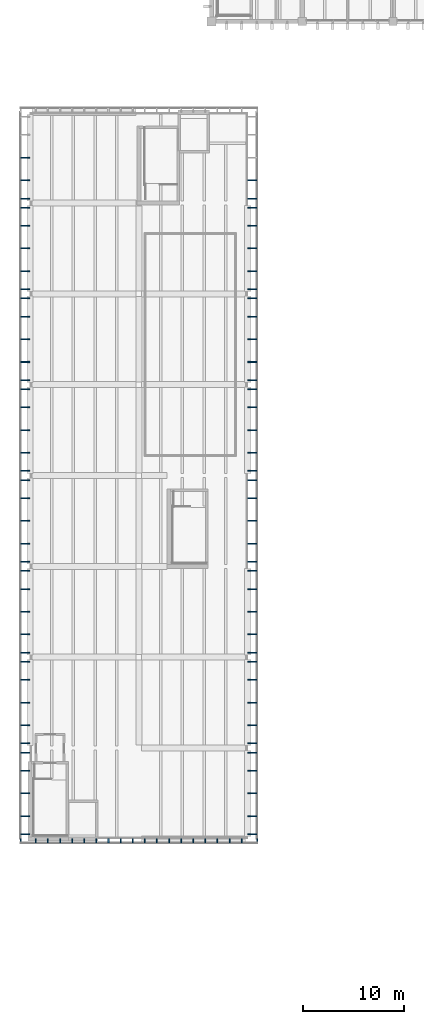
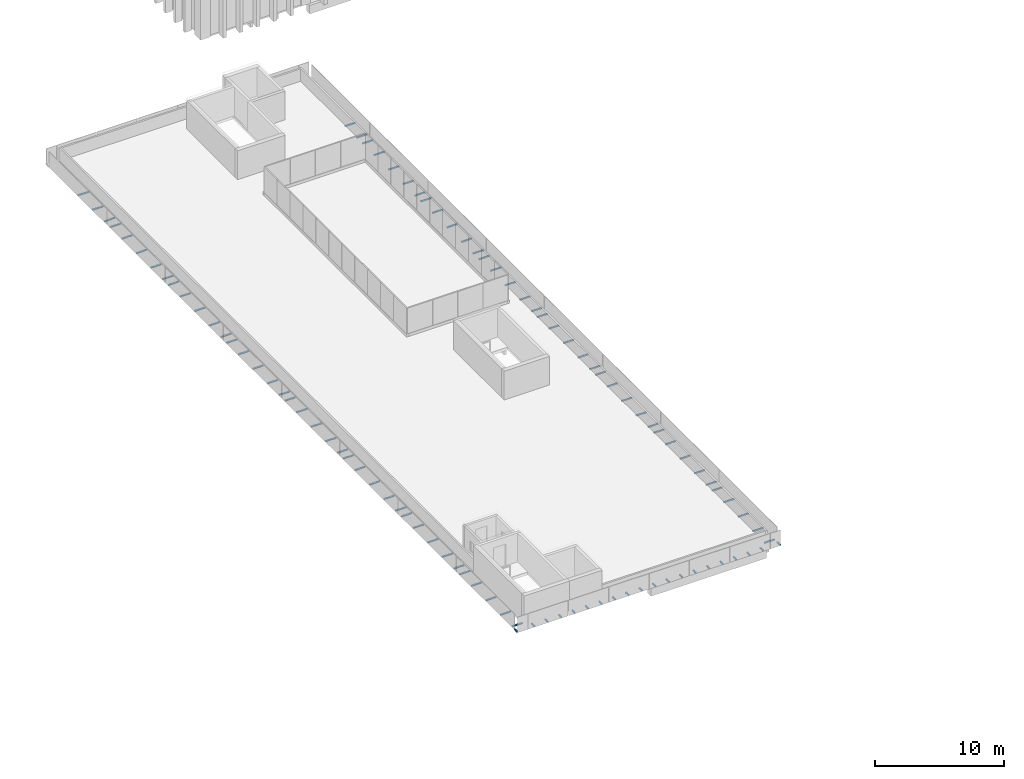
# One storey, part 21 of 29: 95 discrete accessories.
"""IFC4 building model written with IfcOpenShell, lengths in metres."""

import ifcopenshell
import ifcopenshell.guid

model = None  # the IFC model being written
_history = None  # IfcOwnerHistory: only IFC2X3 demands one
_inside = {}  # id of a spatial element -> (the spatial element, [elements in it])
_under = {}  # id of a project, library or spatial element -> (it, [spatial elements below it])
_declared = {}  # id of a project -> (the project, [libraries it declares])
_typed = {}  # id of a type object -> (the type object, [elements of that type])
_made_of = {}  # id of a material, layer set ... -> (it, [elements and type objects made of it])


def new_model(schema):
    """Start an empty IFC model of exactly this schema.

    Asked for "IFC4X3", IfcOpenShell would pick the latest addendum, in which some entities
    have other attributes; the version numbers below select the first issue.
    IFC2X3 requires an IfcOwnerHistory on every rooted entity: one is made here for all.
    """
    global model, _history
    if schema == "IFC4X3":
        model = ifcopenshell.file(schema_version=(4, 3, 0, 0))
    else:
        model = ifcopenshell.file(schema=schema)
    _inside.clear()
    _under.clear()
    _declared.clear()
    _typed.clear()
    _made_of.clear()
    _history = None
    if model.schema == "IFC2X3":
        org = make("IfcOrganization", Name="unknown")
        user = make(
            "IfcPersonAndOrganization",
            ThePerson=make("IfcPerson", FamilyName="unknown"),
            TheOrganization=org,
        )
        app = make(
            "IfcApplication",
            ApplicationDeveloper=org,
            Version="unknown",
            ApplicationFullName="unknown",
            ApplicationIdentifier="unknown",
        )
        _history = make(
            "IfcOwnerHistory",
            OwningUser=user,
            OwningApplication=app,
            ChangeAction="ADDED",
            CreationDate=0,
        )
    return model


def make(cls, **values):
    """One entity of the class cls with the attributes given. An attribute that is None is left unset."""
    return model.create_entity(
        cls, **{name: value for name, value in values.items() if value is not None}
    )


def rooted(cls, **values):
    """An entity with a GlobalId (a new one), such as an element, a storey or a relation."""
    return make(cls, GlobalId=ifcopenshell.guid.new(), OwnerHistory=_history, **values)


def si_unit(unit_type, name, prefix=None):
    """IfcSIUnit, for example si_unit("LENGTHUNIT", "METRE", prefix="MILLI")."""
    return make("IfcSIUnit", UnitType=unit_type, Prefix=prefix, Name=name)


def assignment(units):
    """IfcUnitAssignment: the units of a project."""
    return None if units is None else make("IfcUnitAssignment", Units=units)


def point(xyz):
    """IfcCartesianPoint."""
    return None if xyz is None else make("IfcCartesianPoint", Coordinates=xyz)


def direction(xyz):
    """IfcDirection."""
    return None if xyz is None else make("IfcDirection", DirectionRatios=xyz)


def frame(location, z_axis=None, x_axis=None):
    """IfcAxis2Placement3D, a coordinate frame: its origin and axes. An axis left out is left unset."""
    return make(
        "IfcAxis2Placement3D",
        Location=point(location),
        Axis=direction(z_axis),
        RefDirection=direction(x_axis),
    )


def origin():
    """The frame at (0, 0, 0) with its axes left unset."""
    return frame((0.0, 0.0, 0.0))


def place(relative_to, where):
    """IfcLocalPlacement: puts the frame where relative to a parent placement (None: the world)."""
    return make(
        "IfcLocalPlacement", PlacementRelTo=relative_to, RelativePlacement=where
    )


def context(
    kind, dimensions, precision=None, world=None, true_north=None, identifier=None
):
    """IfcGeometricRepresentationContext, for example the 3D "Model" context."""
    return make(
        "IfcGeometricRepresentationContext",
        ContextIdentifier=identifier,
        ContextType=kind,
        CoordinateSpaceDimension=dimensions,
        Precision=precision,
        WorldCoordinateSystem=world,
        TrueNorth=true_north,
    )


def subcontext(parent, identifier, kind, view, scale=None):
    """IfcGeometricRepresentationSubContext, for example "Body" below "Model"."""
    return make(
        "IfcGeometricRepresentationSubContext",
        ContextIdentifier=identifier,
        ContextType=kind,
        ParentContext=parent,
        TargetScale=scale,
        TargetView=view,
    )


def project(units=None, contexts=None):
    """IfcProject with its units and contexts."""
    return rooted(
        "IfcProject",
        Name="project",
        RepresentationContexts=contexts,
        UnitsInContext=assignment(units),
    )


def spatial(cls, under=None, at=None, **own):
    """A site, building, storey or space (cls), placed at a placement, below another one or the project."""
    s = rooted(cls, ObjectPlacement=at, **own)
    if under is not None:
        _under.setdefault(under.id(), (under, []))[1].append(s)
    return s


def polyline(points):
    """IfcPolyline through the points."""
    return make("IfcPolyline", Points=[point(p) for p in points])


def outline(outer, holes=None, kind="AREA"):
    """IfcArbitraryClosedProfileDef: a profile drawn as a closed curve; with holes, ...WithVoids."""
    if holes is None:
        return make("IfcArbitraryClosedProfileDef", ProfileType=kind, OuterCurve=outer)
    return make(
        "IfcArbitraryProfileDefWithVoids",
        ProfileType=kind,
        OuterCurve=outer,
        InnerCurves=holes,
    )


def extrude(swept, where, along, depth):
    """IfcExtrudedAreaSolid: the profile swept, set in the frame where, extruded along a direction by depth."""
    return make(
        "IfcExtrudedAreaSolid",
        SweptArea=swept,
        Position=where,
        ExtrudedDirection=direction(along),
        Depth=depth,
    )


def shape(context_of_items, identifier, shape_type, items):
    """IfcShapeRepresentation: the items that make up one representation, for example the "Body"."""
    return make(
        "IfcShapeRepresentation",
        ContextOfItems=context_of_items,
        RepresentationIdentifier=identifier,
        RepresentationType=shape_type,
        Items=items,
    )


def source(mapping_origin, context_of_items, identifier, shape_type, items):
    """IfcRepresentationMap: a shape defined once, which mapped items show again and again."""
    return make(
        "IfcRepresentationMap",
        MappingOrigin=mapping_origin,
        MappedRepresentation=shape(context_of_items, identifier, shape_type, items),
    )


def transform(
    local_origin,
    x_axis=None,
    y_axis=None,
    z_axis=None,
    scale=None,
    scale2=None,
    scale3=None,
    uniform=True,
):
    """IfcCartesianTransformationOperator3D, or its non-uniform kind. x_axis, y_axis, z_axis: its Axis1, 2, 3."""
    if uniform:
        return make(
            "IfcCartesianTransformationOperator3D",
            Axis1=direction(x_axis),
            Axis2=direction(y_axis),
            LocalOrigin=point(local_origin),
            Scale=scale,
            Axis3=direction(z_axis),
        )
    return make(
        "IfcCartesianTransformationOperator3DnonUniform",
        Axis1=direction(x_axis),
        Axis2=direction(y_axis),
        LocalOrigin=point(local_origin),
        Scale=scale,
        Axis3=direction(z_axis),
        Scale2=scale2,
        Scale3=scale3,
    )


def mapped(mapping_source, mapping_target):
    """IfcMappedItem: shows the shape of a source again, moved by a transform."""
    return make(
        "IfcMappedItem", MappingSource=mapping_source, MappingTarget=mapping_target
    )


def material(Name=None, Category=None):
    """IfcMaterial."""
    return make("IfcMaterial", Name=Name, Category=Category)


def made_of(thing, what):
    """Note that an element or type object is made of a material, layer set ...; save() writes the relation."""
    if what is not None:
        _made_of.setdefault(what.id(), (what, []))[1].append(thing)
    return thing


def type_object(cls, material=None, **own):
    """A type object (cls), such as IfcWallType, which elements share."""
    return made_of(rooted(cls, **own), material)


def element(
    cls,
    number,
    at=None,
    inside=None,
    cuts=None,
    type_object=None,
    material=None,
    context=None,
    identifier="Body",
    shape_type=None,
    held_by="IfcProductDefinitionShape",
    body=None,
    shapes=None,
    **own,
):
    """One element of the class cls, such as IfcWall. Its Tag is "e" and its number.

    at: its placement. inside: the storey or other place that contains it. cuts: it is an
    opening in that element (IfcRelVoidsElement). A single representation is given by context,
    identifier, shape_type and body (its items); several are given by shapes. held_by: the class
    of the entity that holds the representations. save() writes the other relations.
    """
    e = rooted(cls, Tag="e%d" % number, ObjectPlacement=at, **own)
    if body is not None:
        shapes = [shape(context, identifier, shape_type, body)]
    if shapes is not None:
        e.Representation = make(held_by, Representations=shapes)
    if inside is not None:
        _inside.setdefault(inside.id(), (inside, []))[1].append(e)
    if cuts is not None:
        rooted(
            "IfcRelVoidsElement", RelatingBuildingElement=cuts, RelatedOpeningElement=e
        )
    if type_object is not None:
        _typed.setdefault(type_object.id(), (type_object, []))[1].append(e)
    return made_of(e, material)


def aggregate(whole, parts):
    """IfcRelAggregates: a whole, such as a stair, and the parts it consists of."""
    return rooted("IfcRelAggregates", RelatingObject=whole, RelatedObjects=parts)


def save(model, path):
    """Write the relations noted so far, then the file.

    IfcRelAggregates (storeys below a building ...), IfcRelContainedInSpatialStructure (elements
    in a storey), IfcRelDefinesByType, IfcRelAssociatesMaterial and IfcRelDeclares: one each for
    every whole, place, type object, material and project.
    """
    for whole, parts in _under.values():
        aggregate(whole, parts)
    for where, things in _inside.values():
        rooted(
            "IfcRelContainedInSpatialStructure",
            RelatedElements=things,
            RelatingStructure=where,
        )
    for kind, things in _typed.values():
        rooted("IfcRelDefinesByType", RelatedObjects=things, RelatingType=kind)
    for what, things in _made_of.values():
        rooted("IfcRelAssociatesMaterial", RelatedObjects=things, RelatingMaterial=what)
    for by, libraries in _declared.values():
        rooted("IfcRelDeclares", RelatingContext=by, RelatedDefinitions=libraries)
    model.write(path)


model = new_model("IFC4")

# Units and contexts
model_context = context("Model", 3, precision=1e-05, world=origin(), true_north=direction((0.0, 1.0)))
body_context = subcontext(model_context, "Body", "Model", "MODEL_VIEW")
ifc_project = project(units=[si_unit("LENGTHUNIT", "METRE"), si_unit("AREAUNIT", "SQUARE_METRE"), si_unit("VOLUMEUNIT", "CUBIC_METRE"), si_unit("PLANEANGLEUNIT", "RADIAN"), si_unit("MASSUNIT", "GRAM", prefix="KILO")], contexts=[model_context])

# Site, building, storey
site_placement = place(None, origin())
site = spatial("IfcSite", under=ifc_project, at=site_placement, CompositionType="ELEMENT")
building_placement = place(site_placement, origin())
building = spatial("IfcBuilding", under=site, at=building_placement, Name="Merrow Basin Faculty of Sciences", CompositionType="ELEMENT")
storey_placement = place(building_placement, frame((0.0, 0.0, 22.5)))
storey = spatial("IfcBuildingStorey", under=building, at=storey_placement, Name="L05", CompositionType="ELEMENT", Elevation=22.5)

# Discrete accessories
ifc_material_1 = material(Name="Steel ASTM A572 Gr 50", Category="steel")
discrete_accessory_type_1 = type_object("IfcDiscreteAccessoryType", Name="Steel T bracket 100 x 80", PredefinedType="BRACKET", material=ifc_material_1)
shared_shape_1 = source(origin(), body_context, "Body", "SweptSolid", [
    extrude(outline(polyline([(0.0, 0.0), (0.10009765625, 0.0), (0.10009765625, 0.080078125), (0.0, 0.080078125), (0.0, 0.0)])), origin(), (0.0, 0.0, 1.0), 0.89990234375),
])
for number, where, z_axis, x_axis, name in (
    (1, (-0.89990234375, 61.39990234375, -0.2900390625), (1.0, 0.0, 0.0), (0.0, 1.0, 0.0), "Bracket WL05-01"),
    (2, (-0.89990234375, 63.199951171875, -0.2900390625), (1.0, 0.0, 0.0), (0.0, 1.0, 0.0), "Bracket WL05-01"),
    (3, (-0.89990234375, 65.449951171875, -0.2900390625), (1.0, 0.0, 0.0), (0.0, 1.0, 0.0), "Bracket WL05-01"),
    (4, (-0.89990234375, 67.699951171875, -0.2900390625), (1.0, 0.0, 0.0), (0.0, 1.0, 0.0), "Bracket WL05-01"),
    (5, (-0.89990234375, 69.5, -0.2900390625), (1.0, 0.0, 0.0), (0.0, 1.0, 0.0), "Bracket WL05-01"),
    (6, (22.5, 69.60009765625, -0.2900390625), (-1.0, 0.0, 0.0), (0.0, -1.0, 0.0), "Bracket EL05-01"),
    (7, (22.5, 67.800048828125, -0.2900390625), (-1.0, 0.0, 0.0), (0.0, -1.0, 0.0), "Bracket EL05-01"),
    (8, (22.5, 65.550048828125, -0.2900390625), (-1.0, 0.0, 0.0), (0.0, -1.0, 0.0), "Bracket EL05-01"),
    (9, (22.5, 63.300048828125, -0.2900390625), (-1.0, 0.0, 0.0), (0.0, -1.0, 0.0), "Bracket EL05-01"),
    (10, (22.5, 61.5, -0.2900390625), (-1.0, 0.0, 0.0), (0.0, -1.0, 0.0), "Bracket EL05-01"),
    (11, (-0.89990234375, 70.39990234375, -0.2900390625), (1.0, 0.0, 0.0), (0.0, 1.0, 0.0), "Bracket WL05-02"),
    (12, (-0.89990234375, 72.199951171875, -0.2900390625), (1.0, 0.0, 0.0), (0.0, 1.0, 0.0), "Bracket WL05-02"),
    (13, (-0.89990234375, 74.449951171875, -0.2900390625), (1.0, 0.0, 0.0), (0.0, 1.0, 0.0), "Bracket WL05-02"),
    (14, (-0.89990234375, 76.699951171875, -0.2900390625), (1.0, 0.0, 0.0), (0.0, 1.0, 0.0), "Bracket WL05-02"),
    (15, (-0.89990234375, 78.5, -0.2900390625), (1.0, 0.0, 0.0), (0.0, 1.0, 0.0), "Bracket WL05-02"),
    (16, (22.5, 78.60009765625, -0.2900390625), (-1.0, 0.0, 0.0), (0.0, -1.0, 0.0), "Bracket EL05-02"),
    (17, (22.5, 76.800048828125, -0.2900390625), (-1.0, 0.0, 0.0), (0.0, -1.0, 0.0), "Bracket EL05-02"),
    (18, (22.5, 74.550048828125, -0.2900390625), (-1.0, 0.0, 0.0), (0.0, -1.0, 0.0), "Bracket EL05-02"),
    (19, (22.5, 72.300048828125, -0.2900390625), (-1.0, 0.0, 0.0), (0.0, -1.0, 0.0), "Bracket EL05-02"),
    (20, (22.5, 70.5, -0.2900390625), (-1.0, 0.0, 0.0), (0.0, -1.0, 0.0), "Bracket EL05-02"),
    (21, (-0.89990234375, 79.39990234375, -0.2900390625), (1.0, 0.0, 0.0), (0.0, 1.0, 0.0), "Bracket WL05-03"),
    (22, (-0.89990234375, 81.199951171875, -0.2900390625), (1.0, 0.0, 0.0), (0.0, 1.0, 0.0), "Bracket WL05-03"),
    (23, (-0.89990234375, 83.449951171875, -0.2900390625), (1.0, 0.0, 0.0), (0.0, 1.0, 0.0), "Bracket WL05-03"),
    (24, (-0.89990234375, 85.699951171875, -0.2900390625), (1.0, 0.0, 0.0), (0.0, 1.0, 0.0), "Bracket WL05-03"),
    (25, (-0.89990234375, 87.5, -0.2900390625), (1.0, 0.0, 0.0), (0.0, 1.0, 0.0), "Bracket WL05-03"),
    (26, (22.5, 87.60009765625, -0.2900390625), (-1.0, 0.0, 0.0), (0.0, -1.0, 0.0), "Bracket EL05-03"),
    (27, (22.5, 85.800048828125, -0.2900390625), (-1.0, 0.0, 0.0), (0.0, -1.0, 0.0), "Bracket EL05-03"),
    (28, (22.5, 83.550048828125, -0.2900390625), (-1.0, 0.0, 0.0), (0.0, -1.0, 0.0), "Bracket EL05-03"),
    (29, (22.5, 81.300048828125, -0.2900390625), (-1.0, 0.0, 0.0), (0.0, -1.0, 0.0), "Bracket EL05-03"),
    (30, (22.5, 79.5, -0.2900390625), (-1.0, 0.0, 0.0), (0.0, -1.0, 0.0), "Bracket EL05-03"),
    (31, (-0.89990234375, 88.39990234375, -0.2900390625), (1.0, 0.0, 0.0), (0.0, 1.0, 0.0), "Bracket WL05-04"),
    (32, (-0.89990234375, 90.199951171875, -0.2900390625), (1.0, 0.0, 0.0), (0.0, 1.0, 0.0), "Bracket WL05-04"),
    (33, (-0.89990234375, 92.449951171875, -0.2900390625), (1.0, 0.0, 0.0), (0.0, 1.0, 0.0), "Bracket WL05-04"),
    (34, (-0.89990234375, 94.699951171875, -0.2900390625), (1.0, 0.0, 0.0), (0.0, 1.0, 0.0), "Bracket WL05-04"),
    (35, (-0.89990234375, 96.5, -0.2900390625), (1.0, 0.0, 0.0), (0.0, 1.0, 0.0), "Bracket WL05-04"),
    (36, (22.5, 96.60009765625, -0.2900390625), (-1.0, 0.0, 0.0), (0.0, -1.0, 0.0), "Bracket EL05-04"),
    (37, (22.5, 94.800048828125, -0.2900390625), (-1.0, 0.0, 0.0), (0.0, -1.0, 0.0), "Bracket EL05-04"),
    (38, (22.5, 92.550048828125, -0.2900390625), (-1.0, 0.0, 0.0), (0.0, -1.0, 0.0), "Bracket EL05-04"),
    (39, (22.5, 90.300048828125, -0.2900390625), (-1.0, 0.0, 0.0), (0.0, -1.0, 0.0), "Bracket EL05-04"),
    (40, (22.5, 88.5, -0.2900390625), (-1.0, 0.0, 0.0), (0.0, -1.0, 0.0), "Bracket EL05-04"),
    (41, (-0.89990234375, 97.39990234375, -0.2900390625), (1.0, 0.0, 0.0), (0.0, 1.0, 0.0), "Bracket WL05-05"),
    (42, (-0.89990234375, 99.199951171875, -0.2900390625), (1.0, 0.0, 0.0), (0.0, 1.0, 0.0), "Bracket WL05-05"),
    (43, (-0.89990234375, 101.449951171875, -0.2900390625), (1.0, 0.0, 0.0), (0.0, 1.0, 0.0), "Bracket WL05-05"),
    (44, (-0.89990234375, 103.699951171875, -0.2900390625), (1.0, 0.0, 0.0), (0.0, 1.0, 0.0), "Bracket WL05-05"),
    (45, (-0.89990234375, 105.5, -0.2900390625), (1.0, 0.0, 0.0), (0.0, 1.0, 0.0), "Bracket WL05-05"),
    (46, (22.5, 105.60009765625, -0.2900390625), (-1.0, 0.0, 0.0), (0.0, -1.0, 0.0), "Bracket EL05-05"),
    (47, (22.5, 103.800048828125, -0.2900390625), (-1.0, 0.0, 0.0), (0.0, -1.0, 0.0), "Bracket EL05-05"),
    (48, (22.5, 101.550048828125, -0.2900390625), (-1.0, 0.0, 0.0), (0.0, -1.0, 0.0), "Bracket EL05-05"),
    (49, (22.5, 99.300048828125, -0.2900390625), (-1.0, 0.0, 0.0), (0.0, -1.0, 0.0), "Bracket EL05-05"),
    (50, (22.5, 97.5, -0.2900390625), (-1.0, 0.0, 0.0), (0.0, -1.0, 0.0), "Bracket EL05-05"),
    (51, (-0.89990234375, 106.39990234375, -0.2900390625), (1.0, 0.0, 0.0), (0.0, 1.0, 0.0), "Bracket WL05-06"),
    (52, (-0.89990234375, 108.199951171875, -0.2900390625), (1.0, 0.0, 0.0), (0.0, 1.0, 0.0), "Bracket WL05-06"),
    (53, (-0.89990234375, 110.449951171875, -0.2900390625), (1.0, 0.0, 0.0), (0.0, 1.0, 0.0), "Bracket WL05-06"),
    (54, (-0.89990234375, 112.699951171875, -0.2900390625), (1.0, 0.0, 0.0), (0.0, 1.0, 0.0), "Bracket WL05-06"),
    (55, (-0.89990234375, 114.5, -0.2900390625), (1.0, 0.0, 0.0), (0.0, 1.0, 0.0), "Bracket WL05-06"),
    (56, (22.5, 114.60009765625, -0.2900390625), (-1.0, 0.0, 0.0), (0.0, -1.0, 0.0), "Bracket EL05-06"),
    (57, (22.5, 112.800048828125, -0.2900390625), (-1.0, 0.0, 0.0), (0.0, -1.0, 0.0), "Bracket EL05-06"),
    (58, (22.5, 110.550048828125, -0.2900390625), (-1.0, 0.0, 0.0), (0.0, -1.0, 0.0), "Bracket EL05-06"),
    (59, (22.5, 108.300048828125, -0.2900390625), (-1.0, 0.0, 0.0), (0.0, -1.0, 0.0), "Bracket EL05-06"),
    (60, (22.5, 106.5, -0.2900390625), (-1.0, 0.0, 0.0), (0.0, -1.0, 0.0), "Bracket EL05-06"),
    (61, (-0.89990234375, 115.39990234375, -0.2900390625), (1.0, 0.0, 0.0), (0.0, 1.0, 0.0), "Bracket WL05-07"),
    (62, (-0.89990234375, 117.199951171875, -0.2900390625), (1.0, 0.0, 0.0), (0.0, 1.0, 0.0), "Bracket WL05-07"),
    (63, (-0.89990234375, 119.449951171875, -0.2900390625), (1.0, 0.0, 0.0), (0.0, 1.0, 0.0), "Bracket WL05-07"),
    (64, (-0.89990234375, 121.699951171875, -0.2900390625), (1.0, 0.0, 0.0), (0.0, 1.0, 0.0), "Bracket WL05-07"),
    (65, (-0.89990234375, 123.5, -0.2900390625), (1.0, 0.0, 0.0), (0.0, 1.0, 0.0), "Bracket WL05-07"),
    (66, (22.5, 123.60009765625, -0.2900390625), (-1.0, 0.0, 0.0), (0.0, -1.0, 0.0), "Bracket EL05-07"),
    (67, (22.5, 121.800048828125, -0.2900390625), (-1.0, 0.0, 0.0), (0.0, -1.0, 0.0), "Bracket EL05-07"),
    (68, (22.5, 119.550048828125, -0.2900390625), (-1.0, 0.0, 0.0), (0.0, -1.0, 0.0), "Bracket EL05-07"),
    (69, (22.5, 117.300048828125, -0.2900390625), (-1.0, 0.0, 0.0), (0.0, -1.0, 0.0), "Bracket EL05-07"),
    (70, (22.5, 115.5, -0.2900390625), (-1.0, 0.0, 0.0), (0.0, -1.0, 0.0), "Bracket EL05-07"),
    (71, (-0.89990234375, 124.39990234375, -0.2900390625), (1.0, 0.0, 0.0), (0.0, 1.0, 0.0), "Bracket WL05-08"),
    (72, (-0.89990234375, 126.199951171875, -0.2900390625), (1.0, 0.0, 0.0), (0.0, 1.0, 0.0), "Bracket WL05-08"),
    (73, (-0.89990234375, 128.449951171875, -0.2900390625), (1.0, 0.0, 0.0), (0.0, 1.0, 0.0), "Bracket WL05-08"),
    (74, (22.5, 126.300048828125, -0.2900390625), (-1.0, 0.0, 0.0), (0.0, -1.0, 0.0), "Bracket EL05-08"),
    (75, (22.5, 124.5, -0.2900390625), (-1.0, 0.0, 0.0), (0.0, -1.0, 0.0), "Bracket EL05-08"),
):
    element("IfcDiscreteAccessory", number, at=place(storey_placement, frame(where, z_axis=z_axis, x_axis=x_axis)), inside=storey, type_object=discrete_accessory_type_1, Name=name, PredefinedType="BRACKET", context=body_context, shape_type="MappedRepresentation", body=[
        mapped(shared_shape_1, transform((0.0, 0.0, 0.0), scale=1.0)),
    ])
ifc_material_2 = material(Name="Steel ASTM A572 Gr 50", Category="steel")
discrete_accessory_type_2 = type_object("IfcDiscreteAccessoryType", Name="Steel T bracket 100 x 80 corner", PredefinedType="BRACKET", material=ifc_material_2)
shared_shape_2 = source(origin(), body_context, "Body", "SweptSolid", [
    extrude(outline(polyline([(0.0, 0.0), (0.10009765625, 0.0), (0.10009765625, 0.080078125), (0.0, 0.080078125), (0.0, 0.0)])), origin(), (0.0, 0.0, 1.0), 0.419921875),
])
for number, where, z_axis, x_axis, name in (
    (76, (-0.8701171875, 60.60009765625, -0.2900390625), (0.0, 1.0, 0.0), (-1.0, 0.0, 0.0), "End corner bracket SL05-01"),
    (77, (22.570068359375, 60.60009765625, -0.2900390625), (0.0, 1.0, 0.0), (-1.0, 0.0, 0.0), "End corner bracket SL05-08"),
):
    element("IfcDiscreteAccessory", number, at=place(storey_placement, frame(where, z_axis=z_axis, x_axis=x_axis)), inside=storey, type_object=discrete_accessory_type_2, Name=name, PredefinedType="BRACKET", context=body_context, shape_type="MappedRepresentation", body=[
        mapped(shared_shape_2, transform((0.0, 0.0, 0.0), scale=1.0)),
    ])
ifc_material_3 = material(Name="Steel ASTM A572 Gr 50", Category="steel")
discrete_accessory_type_3 = type_object("IfcDiscreteAccessoryType", Name="Steel T bracket 100 x 80 short", PredefinedType="BRACKET", material=ifc_material_3)
shared_shape_3 = source(origin(), body_context, "Body", "SweptSolid", [
    extrude(outline(polyline([(0.0, 0.0), (0.10009765625, 0.0), (0.10009765625, 0.080078125), (0.0, 0.080078125), (0.0, 0.0)])), origin(), (0.0, 0.0, 1.0), 0.39990234375),
])
for number, where, z_axis, x_axis, name in (
    (78, (0.64990234375, 60.60009765625, -0.2900390625), (0.0, 1.0, 0.0), (-1.0, 0.0, 0.0), "End bracket SL05-02-1"),
    (79, (1.85009765625, 60.60009765625, -0.2900390625), (0.0, 1.0, 0.0), (-1.0, 0.0, 0.0), "End bracket SL05-02-2"),
    (80, (3.050048828125, 60.60009765625, -0.2900390625), (0.0, 1.0, 0.0), (-1.0, 0.0, 0.0), "End bracket SL05-02-3"),
    (81, (4.25, 60.60009765625, -0.2900390625), (0.0, 1.0, 0.0), (-1.0, 0.0, 0.0), "End bracket SL05-03-1"),
    (82, (5.449951171875, 60.60009765625, -0.2900390625), (0.0, 1.0, 0.0), (-1.0, 0.0, 0.0), "End bracket SL05-03-2"),
    (83, (6.64990234375, 60.60009765625, -0.2900390625), (0.0, 1.0, 0.0), (-1.0, 0.0, 0.0), "End bracket SL05-03-3"),
    (84, (7.85009765625, 60.60009765625, -0.2900390625), (0.0, 1.0, 0.0), (-1.0, 0.0, 0.0), "End bracket SL05-04-1"),
    (85, (9.050048828125, 60.60009765625, -0.2900390625), (0.0, 1.0, 0.0), (-1.0, 0.0, 0.0), "End bracket SL05-04-2"),
    (86, (10.25, 60.60009765625, -0.2900390625), (0.0, 1.0, 0.0), (-1.0, 0.0, 0.0), "End bracket SL05-04-3"),
    (87, (11.449951171875, 60.60009765625, -0.2900390625), (0.0, 1.0, 0.0), (-1.0, 0.0, 0.0), "End bracket SL05-05-1"),
    (88, (12.64990234375, 60.60009765625, -0.2900390625), (0.0, 1.0, 0.0), (-1.0, 0.0, 0.0), "End bracket SL05-05-2"),
    (89, (13.85009765625, 60.60009765625, -0.2900390625), (0.0, 1.0, 0.0), (-1.0, 0.0, 0.0), "End bracket SL05-05-3"),
    (90, (15.050048828125, 60.60009765625, -0.2900390625), (0.0, 1.0, 0.0), (-1.0, 0.0, 0.0), "End bracket SL05-06-1"),
    (91, (16.25, 60.60009765625, -0.2900390625), (0.0, 1.0, 0.0), (-1.0, 0.0, 0.0), "End bracket SL05-06-2"),
    (92, (17.449951171875, 60.60009765625, -0.2900390625), (0.0, 1.0, 0.0), (-1.0, 0.0, 0.0), "End bracket SL05-06-3"),
    (93, (18.64990234375, 60.60009765625, -0.2900390625), (0.0, 1.0, 0.0), (-1.0, 0.0, 0.0), "End bracket SL05-07-1"),
    (94, (19.85009765625, 60.60009765625, -0.2900390625), (0.0, 1.0, 0.0), (-1.0, 0.0, 0.0), "End bracket SL05-07-2"),
    (95, (21.050048828125, 60.60009765625, -0.2900390625), (0.0, 1.0, 0.0), (-1.0, 0.0, 0.0), "End bracket SL05-07-3"),
):
    element("IfcDiscreteAccessory", number, at=place(storey_placement, frame(where, z_axis=z_axis, x_axis=x_axis)), inside=storey, type_object=discrete_accessory_type_3, Name=name, PredefinedType="BRACKET", context=body_context, shape_type="MappedRepresentation", body=[
        mapped(shared_shape_3, transform((0.0, 0.0, 0.0), scale=1.0)),
    ])

save(model, "model.ifc")
